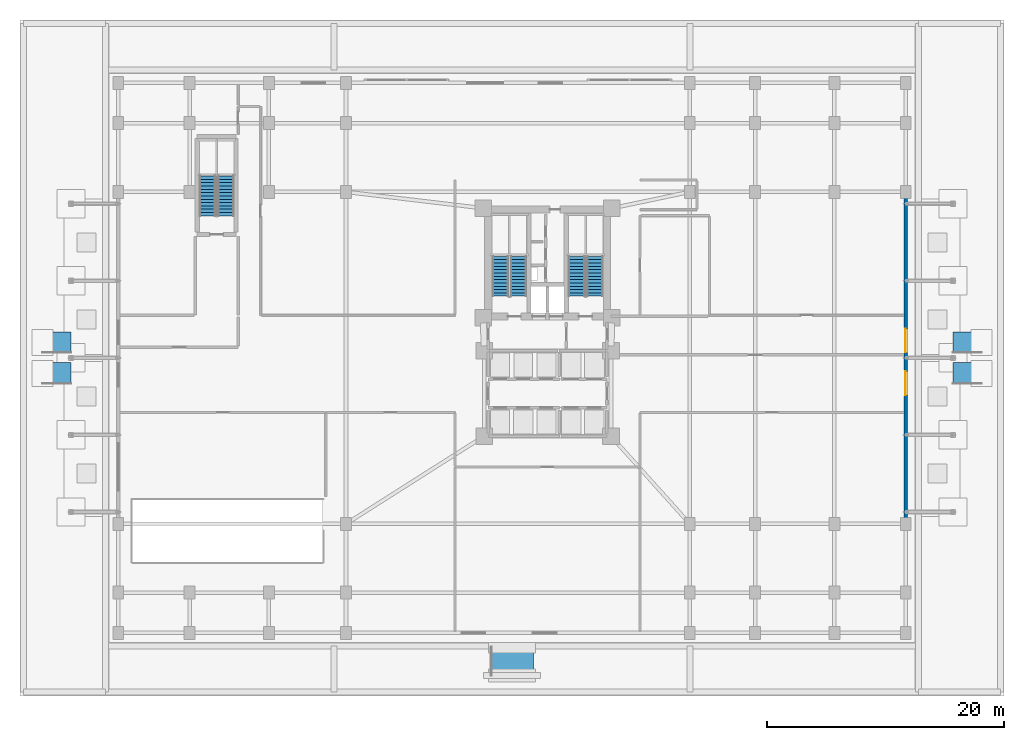
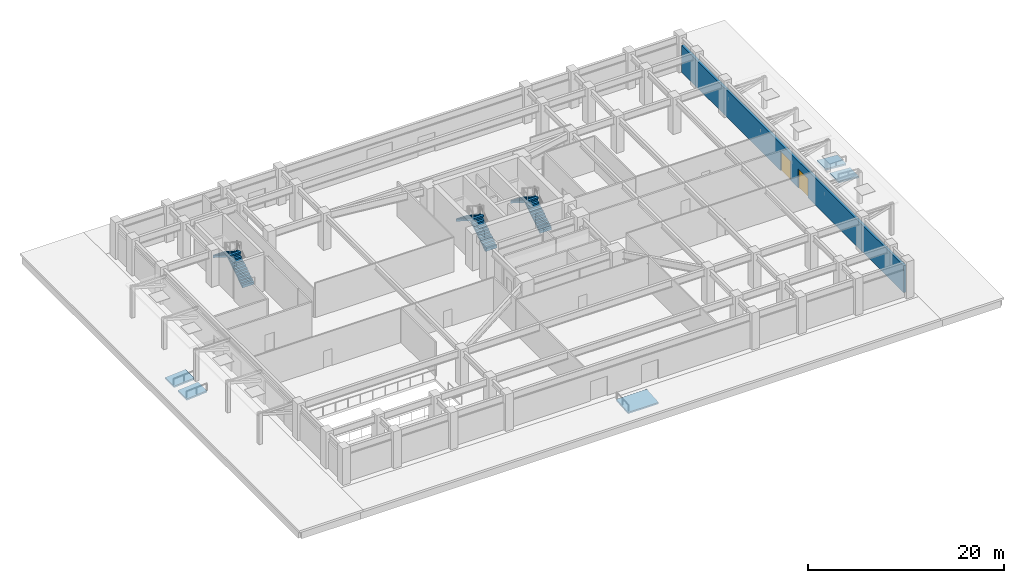
# One storey, part 19 of 23: 6 stair flights, 5 ramp flights, 2 doors, 1 wall, 2 openings, 3 elements without a shape of their own.
"""IFC4 building model written with IfcOpenShell, lengths in metres."""

from ifc_helpers import new_model, si_unit, direction, frame, frame_2d, origin, place, context, subcontext, project, spatial, polyline, rectangle, outline, extrude, material, layer, layer_set, type_object, element, fill, aggregate, save


model = new_model("IFC4")

# Units and contexts
model_context = context("Model", 3, precision=1e-05, world=origin(), true_north=direction((0.0, 1.0)))
body_context = subcontext(model_context, "Body", "Model", "MODEL_VIEW")
ifc_project = project(units=[si_unit("LENGTHUNIT", "METRE"), si_unit("AREAUNIT", "SQUARE_METRE"), si_unit("VOLUMEUNIT", "CUBIC_METRE"), si_unit("PLANEANGLEUNIT", "RADIAN"), si_unit("MASSUNIT", "GRAM", prefix="KILO")], contexts=[model_context])

# Site, building, storey
site_placement = place(None, origin())
site = spatial("IfcSite", under=ifc_project, at=site_placement, CompositionType="ELEMENT")
building_placement = place(site_placement, origin())
building = spatial("IfcBuilding", under=site, at=building_placement, Name="Varnakorn Sky Granary", CompositionType="ELEMENT")
storey_placement = place(building_placement, origin())
storey = spatial("IfcBuildingStorey", under=building, at=storey_placement, Name="L00", CompositionType="ELEMENT", Elevation=0.0)

# Wall, openings, doors
ifc_material_1 = material(Name="Precast concrete C40/50", Category="concrete")
ifc_layer_1 = layer(ifc_material_1, 0.300048828125, Name="Precast concrete C40/50")
ifc_layer_set_1 = layer_set([ifc_layer_1], Name="Precast concrete C40/50")
wall_type = type_object("IfcWallType", Name="WT-EW-POD-300", PredefinedType="SOLIDWALL", material=ifc_layer_set_1)
wall_placement = place(storey_placement, frame((33.199951171875, 22.655029296875, 0.0), z_axis=(0.0, 0.0, 1.0), x_axis=(0.0, -1.0, 0.0)))
wall = element("IfcWall", 1, at=wall_placement, inside=storey, type_object=wall_type, Name="Podium Exterior Facade Wall L00-E", PredefinedType="SOLIDWALL", context=body_context, shape_type="SweptSolid", body=[
    extrude(rectangle(XDim=45.31005859375, YDim=0.300048828125, at=frame_2d((22.655029296875, 0.0))), origin(), (0.0, 0.0, 1.0), 3.35009765625),
])
opening_1_placement = place(wall_placement, frame((20.199951171875, 0.0, 0.0)))
opening_1 = element("IfcOpeningElement", 2, at=opening_1_placement, cuts=wall, Name="Opening ED-05", PredefinedType="OPENING", context=body_context, shape_type="SweptSolid", body=[
    extrude(rectangle(XDim=2.0, YDim=2.39990234375, at=frame_2d((1.0, 1.199951171875))), frame((0.0, 0.16015625, 0.0), z_axis=(0.0, -1.0, 0.0), x_axis=(1.0, 0.0, 0.0)), (0.0, 0.0, 1.0), 0.320068359375),
])
opening_2_placement = place(wall_placement, frame((23.800048828125, 0.0, 0.0)))
opening_2 = element("IfcOpeningElement", 3, at=opening_2_placement, cuts=wall, Name="Opening ED-06", PredefinedType="OPENING", context=body_context, shape_type="SweptSolid", body=[
    extrude(rectangle(XDim=2.0, YDim=2.39990234375, at=frame_2d((1.0, 1.199951171875))), frame((0.0, 0.16015625, 0.0), z_axis=(0.0, -1.0, 0.0), x_axis=(1.0, 0.0, 0.0)), (0.0, 0.0, 1.0), 0.320068359375),
])
ifc_material_2 = material(Name="Anodised Bronze Aluminium Alloy 6063-T6", Category="aluminium")
door_type = type_object("IfcDoorType", Name="DR-EXIT-2000", OperationType="NOTDEFINED", PredefinedType="DOOR", material=ifc_material_2)
door_1_placement = place(opening_1_placement, origin())
door_1 = element("IfcDoor", 4, at=door_1_placement, inside=storey, type_object=door_type, Name="Final Exit Pedestrian Door ED-05", OperationType="DOUBLE_DOOR_SINGLE_SWING", OverallHeight=2.39990234375, OverallWidth=2.0, PredefinedType="DOOR", context=body_context, shape_type="SweptSolid", body=[
    extrude(rectangle(XDim=2.0, YDim=2.39990234375, at=frame_2d((1.0, 1.199951171875))), frame((0.0, 0.02490234375, 0.0), z_axis=(0.0, -1.0, 0.0), x_axis=(1.0, 0.0, 0.0)), (0.0, 0.0, 1.0), 0.050048828125),
])
fill(opening_1, door_1)
door_2_placement = place(opening_2_placement, origin())
door_2 = element("IfcDoor", 5, at=door_2_placement, inside=storey, type_object=door_type, Name="Final Exit Pedestrian Door ED-06", OperationType="DOUBLE_DOOR_SINGLE_SWING", OverallHeight=2.39990234375, OverallWidth=2.0, PredefinedType="DOOR", context=body_context, shape_type="SweptSolid", body=[
    extrude(rectangle(XDim=2.0, YDim=2.39990234375, at=frame_2d((1.0, 1.199951171875))), frame((0.0, 0.02490234375, 0.0), z_axis=(0.0, -1.0, 0.0), x_axis=(1.0, 0.0, 0.0)), (0.0, 0.0, 1.0), 0.050048828125),
])
fill(opening_2, door_2)

# Stair, stair flights
ifc_material_3 = material(Name="Concrete C40/50", Category="concrete")
stair_type = type_object("IfcStairType", Name="ST-MAIN-ASSEMBLY", PredefinedType="HALF_TURN_STAIR", material=ifc_material_3)
stair_1_placement = place(storey_placement, origin())
stair_1 = element("IfcStair", 6, at=stair_1_placement, inside=storey, type_object=stair_type, Name="L00 Protected Exit Stair ST-1", PredefinedType="HALF_TURN_STAIR")
stair_flight_type = type_object("IfcStairFlightType", Name="ST-MAIN-FLIGHT", PredefinedType="STRAIGHT", material=ifc_material_3)
stair_flight_1_placement = place(storey_placement, frame((0.550048828125, 5.199951171875, 0.0), z_axis=(0.0, 0.0, 1.0), x_axis=(0.0, 1.0, 0.0)))
stair_flight_1 = element("IfcStairFlight", 7, at=stair_flight_1_placement, type_object=stair_flight_type, Name="ST-1 flight 1", NumberOfRisers=13, NumberOfTreads=12, PredefinedType="STRAIGHT", RiserHeight=0.176923077, TreadLength=0.28, context=body_context, shape_type="SweptSolid", body=[
    extrude(outline(polyline([(0.0, -0.14990234375), (0.0, 0.0), (0.0, 0.177001953125), (0.280029296875, 0.177001953125), (0.280029296875, 0.353759765625), (0.56005859375, 0.353759765625), (0.56005859375, 0.53076171875), (0.840087890625, 0.53076171875), (0.840087890625, 0.707763671875), (1.1201171875, 0.707763671875), (1.1201171875, 0.884521484375), (1.39990234375, 0.884521484375), (1.39990234375, 1.0615234375), (1.679931640625, 1.0615234375), (1.679931640625, 1.238525390625), (1.9599609375, 1.238525390625), (1.9599609375, 1.415283203125), (2.239990234375, 1.415283203125), (2.239990234375, 1.59228515625), (2.52001953125, 1.59228515625), (2.52001953125, 1.769287109375), (2.800048828125, 1.769287109375), (2.800048828125, 1.946044921875), (3.080078125, 1.946044921875), (3.080078125, 2.123046875), (3.360107421875, 2.123046875), (3.360107421875, 2.300048828125), (3.360107421875, 1.94580078125), (0.050048828125, -0.14990234375), (0.0, -0.14990234375)])), frame((0.0, 0.68994140625, 0.0), z_axis=(0.0, -1.0, 0.0), x_axis=(1.0, 0.0, 0.0)), (0.0, 0.0, 1.0), 1.3798828125),
])
stair_flight_2_placement = place(storey_placement, frame((-0.97998046875, 8.56005859375, 2.300048828125), z_axis=(0.0, 0.0, 1.0), x_axis=(0.0, -1.0, 0.0)))
stair_flight_2 = element("IfcStairFlight", 8, at=stair_flight_2_placement, type_object=stair_flight_type, Name="ST-1 flight 2", NumberOfRisers=13, NumberOfTreads=12, PredefinedType="STRAIGHT", RiserHeight=0.176923077, TreadLength=0.28, context=body_context, shape_type="SweptSolid", body=[
    extrude(outline(polyline([(0.0, -0.14990234375), (0.0, 0.0), (0.0, 0.177001953125), (0.280029296875, 0.177001953125), (0.280029296875, 0.353759765625), (0.56005859375, 0.353759765625), (0.56005859375, 0.53076171875), (0.840087890625, 0.53076171875), (0.840087890625, 0.707763671875), (1.1201171875, 0.707763671875), (1.1201171875, 0.884521484375), (1.39990234375, 0.884521484375), (1.39990234375, 1.0615234375), (1.679931640625, 1.0615234375), (1.679931640625, 1.238525390625), (1.9599609375, 1.238525390625), (1.9599609375, 1.415283203125), (2.239990234375, 1.415283203125), (2.239990234375, 1.59228515625), (2.52001953125, 1.59228515625), (2.52001953125, 1.769287109375), (2.800048828125, 1.769287109375), (2.800048828125, 1.946044921875), (3.080078125, 1.946044921875), (3.080078125, 2.123046875), (3.360107421875, 2.123046875), (3.360107421875, 2.300048828125), (3.360107421875, 1.94580078125), (0.050048828125, -0.14990234375), (0.0, -0.14990234375)])), frame((0.0, 0.68994140625, 0.0), z_axis=(0.0, -1.0, 0.0), x_axis=(1.0, 0.0, 0.0)), (0.0, 0.0, 1.0), 1.3798828125),
])
aggregate(stair_1, [stair_flight_1, stair_flight_2])

stair_2_placement = place(storey_placement, origin())
stair_2 = element("IfcStair", 9, at=stair_2_placement, inside=storey, type_object=stair_type, Name="L00 Protected Exit Stair ST-2", PredefinedType="HALF_TURN_STAIR")
stair_flight_3_placement = place(storey_placement, frame((6.989990234375, 5.199951171875, 0.0), z_axis=(0.0, 0.0, 1.0), x_axis=(0.0, 1.0, 0.0)))
stair_flight_3 = element("IfcStairFlight", 10, at=stair_flight_3_placement, type_object=stair_flight_type, Name="ST-2 flight 1", NumberOfRisers=13, NumberOfTreads=12, PredefinedType="STRAIGHT", RiserHeight=0.176923077, TreadLength=0.28, context=body_context, shape_type="SweptSolid", body=[
    extrude(outline(polyline([(0.0, -0.14990234375), (0.0, 0.0), (0.0, 0.177001953125), (0.280029296875, 0.177001953125), (0.280029296875, 0.353759765625), (0.56005859375, 0.353759765625), (0.56005859375, 0.53076171875), (0.840087890625, 0.53076171875), (0.840087890625, 0.707763671875), (1.1201171875, 0.707763671875), (1.1201171875, 0.884521484375), (1.39990234375, 0.884521484375), (1.39990234375, 1.0615234375), (1.679931640625, 1.0615234375), (1.679931640625, 1.238525390625), (1.9599609375, 1.238525390625), (1.9599609375, 1.415283203125), (2.239990234375, 1.415283203125), (2.239990234375, 1.59228515625), (2.52001953125, 1.59228515625), (2.52001953125, 1.769287109375), (2.800048828125, 1.769287109375), (2.800048828125, 1.946044921875), (3.080078125, 1.946044921875), (3.080078125, 2.123046875), (3.360107421875, 2.123046875), (3.360107421875, 2.300048828125), (3.360107421875, 1.94580078125), (0.050048828125, -0.14990234375), (0.0, -0.14990234375)])), frame((0.0, 0.68994140625, 0.0), z_axis=(0.0, -1.0, 0.0), x_axis=(1.0, 0.0, 0.0)), (0.0, 0.0, 1.0), 1.3798828125),
])
stair_flight_4_placement = place(storey_placement, frame((5.4599609375, 8.56005859375, 2.300048828125), z_axis=(0.0, 0.0, 1.0), x_axis=(0.0, -1.0, 0.0)))
stair_flight_4 = element("IfcStairFlight", 11, at=stair_flight_4_placement, type_object=stair_flight_type, Name="ST-2 flight 2", NumberOfRisers=13, NumberOfTreads=12, PredefinedType="STRAIGHT", RiserHeight=0.176923077, TreadLength=0.28, context=body_context, shape_type="SweptSolid", body=[
    extrude(outline(polyline([(0.0, -0.14990234375), (0.0, 0.0), (0.0, 0.177001953125), (0.280029296875, 0.177001953125), (0.280029296875, 0.353759765625), (0.56005859375, 0.353759765625), (0.56005859375, 0.53076171875), (0.840087890625, 0.53076171875), (0.840087890625, 0.707763671875), (1.1201171875, 0.707763671875), (1.1201171875, 0.884521484375), (1.39990234375, 0.884521484375), (1.39990234375, 1.0615234375), (1.679931640625, 1.0615234375), (1.679931640625, 1.238525390625), (1.9599609375, 1.238525390625), (1.9599609375, 1.415283203125), (2.239990234375, 1.415283203125), (2.239990234375, 1.59228515625), (2.52001953125, 1.59228515625), (2.52001953125, 1.769287109375), (2.800048828125, 1.769287109375), (2.800048828125, 1.946044921875), (3.080078125, 1.946044921875), (3.080078125, 2.123046875), (3.360107421875, 2.123046875), (3.360107421875, 2.300048828125), (3.360107421875, 1.94580078125), (0.050048828125, -0.14990234375), (0.0, -0.14990234375)])), frame((0.0, 0.68994140625, 0.0), z_axis=(0.0, -1.0, 0.0), x_axis=(1.0, 0.0, 0.0)), (0.0, 0.0, 1.0), 1.3798828125),
])
aggregate(stair_2, [stair_flight_3, stair_flight_4])

stair_3_placement = place(storey_placement, origin())
stair_3 = element("IfcStair", 12, at=stair_3_placement, inside=storey, type_object=stair_type, Name="L00 Podium and Basement Protected Exit Stair ST-B3", PredefinedType="HALF_TURN_STAIR")
stair_flight_5_placement = place(storey_placement, frame((-24.139892578125, 11.97998046875, 0.0), z_axis=(0.0, 0.0, 1.0), x_axis=(0.0, 1.0, 0.0)))
stair_flight_5 = element("IfcStairFlight", 13, at=stair_flight_5_placement, type_object=stair_flight_type, Name="ST-B3 flight 1", NumberOfRisers=13, NumberOfTreads=12, PredefinedType="STRAIGHT", RiserHeight=0.176923077, TreadLength=0.28, context=body_context, shape_type="SweptSolid", body=[
    extrude(outline(polyline([(0.0, -0.14990234375), (0.0, 0.0), (0.0, 0.177001953125), (0.280029296875, 0.177001953125), (0.280029296875, 0.353759765625), (0.56005859375, 0.353759765625), (0.56005859375, 0.53076171875), (0.840087890625, 0.53076171875), (0.840087890625, 0.707763671875), (1.1201171875, 0.707763671875), (1.1201171875, 0.884521484375), (1.39990234375, 0.884521484375), (1.39990234375, 1.0615234375), (1.679931640625, 1.0615234375), (1.679931640625, 1.238525390625), (1.9599609375, 1.238525390625), (1.9599609375, 1.415283203125), (2.239990234375, 1.415283203125), (2.239990234375, 1.59228515625), (2.52001953125, 1.59228515625), (2.52001953125, 1.769287109375), (2.800048828125, 1.769287109375), (2.800048828125, 1.946044921875), (3.080078125, 1.946044921875), (3.080078125, 2.123046875), (3.360107421875, 2.123046875), (3.360107421875, 2.300048828125), (3.360107421875, 1.94580078125), (0.050048828125, -0.14990234375), (0.0, -0.14990234375)])), frame((0.0, 0.68994140625, 0.0), z_axis=(0.0, -1.0, 0.0), x_axis=(1.0, 0.0, 0.0)), (0.0, 0.0, 1.0), 1.3798828125),
])
stair_flight_6_placement = place(storey_placement, frame((-25.669921875, 15.340087890625, 2.300048828125), z_axis=(0.0, 0.0, 1.0), x_axis=(0.0, -1.0, 0.0)))
stair_flight_6 = element("IfcStairFlight", 14, at=stair_flight_6_placement, type_object=stair_flight_type, Name="ST-B3 flight 2", NumberOfRisers=13, NumberOfTreads=12, PredefinedType="STRAIGHT", RiserHeight=0.176923077, TreadLength=0.28, context=body_context, shape_type="SweptSolid", body=[
    extrude(outline(polyline([(0.0, -0.14990234375), (0.0, 0.0), (0.0, 0.177001953125), (0.280029296875, 0.177001953125), (0.280029296875, 0.353759765625), (0.56005859375, 0.353759765625), (0.56005859375, 0.53076171875), (0.840087890625, 0.53076171875), (0.840087890625, 0.707763671875), (1.1201171875, 0.707763671875), (1.1201171875, 0.884521484375), (1.39990234375, 0.884521484375), (1.39990234375, 1.0615234375), (1.679931640625, 1.0615234375), (1.679931640625, 1.238525390625), (1.9599609375, 1.238525390625), (1.9599609375, 1.415283203125), (2.239990234375, 1.415283203125), (2.239990234375, 1.59228515625), (2.52001953125, 1.59228515625), (2.52001953125, 1.769287109375), (2.800048828125, 1.769287109375), (2.800048828125, 1.946044921875), (3.080078125, 1.946044921875), (3.080078125, 2.123046875), (3.360107421875, 2.123046875), (3.360107421875, 2.300048828125), (3.360107421875, 1.94580078125), (0.050048828125, -0.14990234375), (0.0, -0.14990234375)])), frame((0.0, 0.68994140625, 0.0), z_axis=(0.0, -1.0, 0.0), x_axis=(1.0, 0.0, 0.0)), (0.0, 0.0, 1.0), 1.3798828125),
])
aggregate(stair_3, [stair_flight_5, stair_flight_6])

# Ramp flights
ifc_material_4 = material(Name="Concrete C50/60", Category="concrete")
ifc_layer_2 = layer(ifc_material_4, 0.199951171875, Name="Concrete C50/60")
ifc_layer_set_2 = layer_set([ifc_layer_2], Name="Concrete C50/60")
ramp_flight_type = type_object("IfcRampFlightType", Name="RM-PED-FLIGHT", PredefinedType="STRAIGHT", material=ifc_layer_set_2)
for number, where, z_axis, x_axis, name in (
    (15, (-39.60009765625, -2.199951171875, -0.179931640625), (-0.074757166413, 0.0, 0.997201767984), (0.997201767984, 0.0, 0.074757166413), "Accessible Plaza Entrance Threshold Ramp Flight 1"),
    (16, (37.199951171875, -2.199951171875, 0.0), (0.074757166413, 0.0, 0.997201767984), (0.997201767984, 0.0, -0.074757166413), "Accessible Plaza Entrance Threshold Ramp Flight 2"),
    (17, (-39.60009765625, 0.39990234375, -0.179931640625), (-0.074757166413, 0.0, 0.997201767984), (0.997201767984, 0.0, 0.074757166413), "Accessible Plaza Entrance Threshold Ramp Flight 3"),
    (18, (37.199951171875, 0.39990234375, 0.0), (0.074757166413, 0.0, 0.997201767984), (0.997201767984, 0.0, -0.074757166413), "Accessible Plaza Entrance Threshold Ramp Flight 4"),
):
    element("IfcRampFlight", number, at=place(storey_placement, frame(where, z_axis=z_axis, x_axis=x_axis)), inside=storey, type_object=ramp_flight_type, Name=name, PredefinedType="STRAIGHT", context=body_context, shape_type="SweptSolid", body=[
        extrude(outline(polyline([(0.0, 0.0), (2.406881497239878, 0.0), (2.406881497239878, 1.8000488281249998), (0.0, 1.8000488281249998), (0.0, 0.0)])), origin(), (0.0, 0.0, -1.0), 0.199951171875),
    ])
ramp_flight_placement = place(storey_placement, frame((-1.800048828125, -26.800048828125, -0.179931640625), z_axis=(0.0, -0.074757166413, 0.997201767984), x_axis=(1.0, 0.0, 0.0)))
element("IfcRampFlight", 19, at=ramp_flight_placement, inside=storey, type_object=ramp_flight_type, Name="Accessible Plaza Entrance Threshold Ramp Flight 5", PredefinedType="STRAIGHT", context=body_context, shape_type="SweptSolid", body=[
    extrude(outline(polyline([(0.0, 0.0), (3.60009765625, 0.0), (3.60009765625, 2.406881497239878), (0.0, 2.406881497239878), (0.0, 0.0)])), origin(), (0.0, 0.0, -1.0), 0.199951171875),
])

save(model, "model.ifc")
